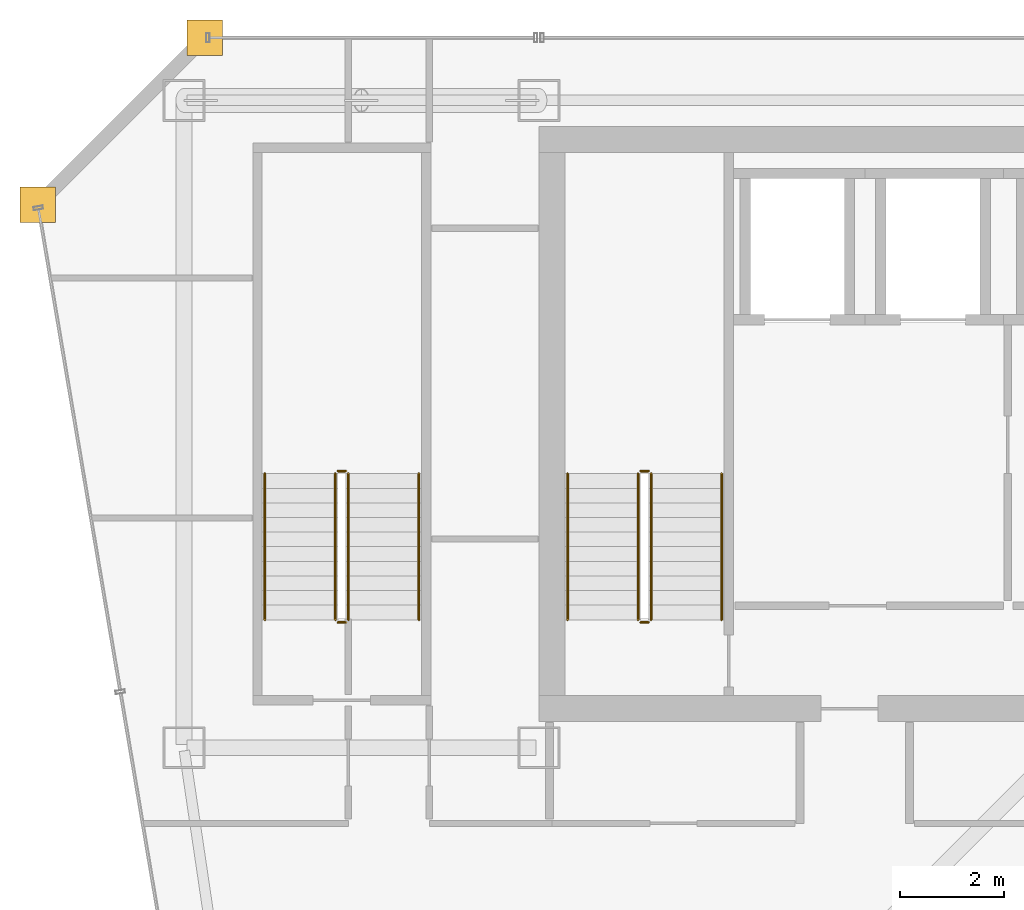
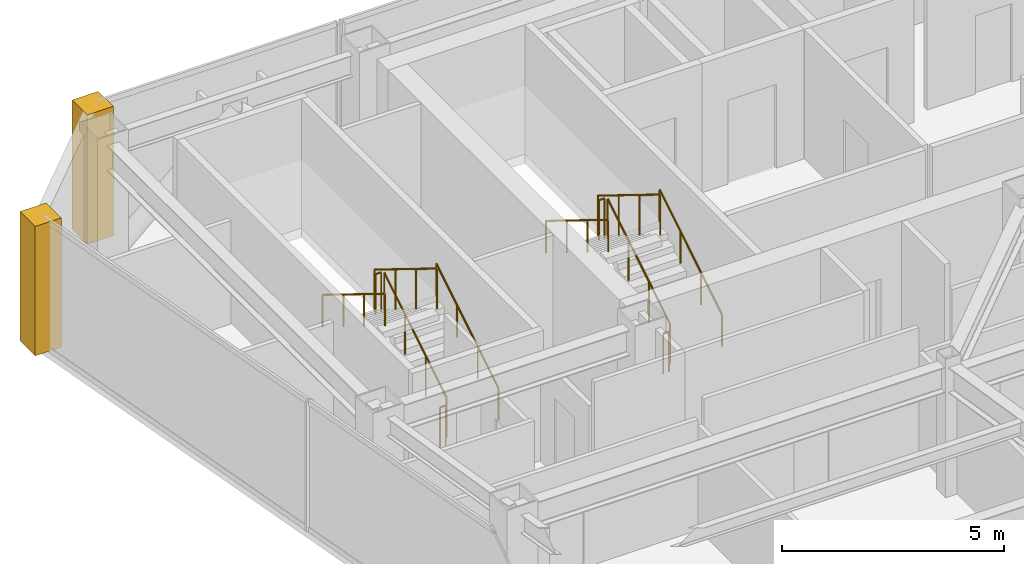
# One storey, part 35 of 36: 12 railings, 2 coverings.
"""IFC4 building model written with IfcOpenShell, lengths in metres."""

from ifc_helpers import new_model, si_unit, direction, frame, origin, origin_2d, place, context, subcontext, project, spatial, polyline, circle, outline, extrude, material, layer, layer_set, type_object, element, save


model = new_model("IFC4")

# Units and contexts
model_context = context("Model", 3, precision=1e-05, world=origin(), true_north=direction((0.0, 1.0)))
body_context = subcontext(model_context, "Body", "Model", "MODEL_VIEW")
ifc_project = project(units=[si_unit("LENGTHUNIT", "METRE"), si_unit("AREAUNIT", "SQUARE_METRE"), si_unit("VOLUMEUNIT", "CUBIC_METRE"), si_unit("PLANEANGLEUNIT", "RADIAN"), si_unit("MASSUNIT", "GRAM", prefix="KILO")], contexts=[model_context])

# Site, building, storey
site_placement = place(None, origin())
site = spatial("IfcSite", under=ifc_project, at=site_placement, CompositionType="ELEMENT")
building_placement = place(site_placement, origin())
building = spatial("IfcBuilding", under=site, at=building_placement, Name="Saevonmaru Cultural Tower", CompositionType="ELEMENT")
storey_placement = place(building_placement, frame((0.0, 0.0, 182.800048828125)))
storey = spatial("IfcBuildingStorey", under=building, at=storey_placement, Name="L41", CompositionType="ELEMENT", Elevation=182.800048828125)

# Coverings
ifc_material_1 = material(Name="Satin Bronze Anodised Aluminium", Category="aluminium")
ifc_layer = layer(ifc_material_1, 0.679931640625, Name="Satin Bronze Anodised Aluminium")
ifc_layer_set = layer_set([ifc_layer], Name="Satin Bronze Anodised Aluminium")
covering_type = type_object("IfcCoveringType", Name="CV-CORNER-CLAD", PredefinedType="CLADDING", material=ifc_layer_set)
covering_1_placement = place(storey_placement, origin())
element("IfcCovering", 1, at=covering_1_placement, inside=storey, type_object=covering_type, Name="L41 Tower Bronze Corner Cladding Pier 11", PredefinedType="CLADDING", context=body_context, shape_type="SweptSolid", body=[
    extrude(outline(polyline([(6.860107421875, 55.659912109375), (7.5400390625, 55.659912109375), (7.5400390625, 56.340087890625), (6.860107421875, 56.340087890625), (6.860107421875, 55.659912109375)])), origin(), (0.0, 0.0, 1.0), 3.550048828125),
])
covering_2_placement = place(storey_placement, origin())
element("IfcCovering", 2, at=covering_2_placement, inside=storey, type_object=covering_type, Name="L41 Tower Bronze Corner Cladding Pier 12", PredefinedType="CLADDING", context=body_context, shape_type="SweptSolid", body=[
    extrude(outline(polyline([(3.659912109375, 52.4599609375), (4.340087890625, 52.4599609375), (4.340087890625, 53.139892578125), (3.659912109375, 53.139892578125), (3.659912109375, 52.4599609375)])), origin(), (0.0, 0.0, 1.0), 3.550048828125),
])

# Railings
ifc_material_2 = material(Name="Architectural Painted Steel", Category="steel")
railing_type_1 = type_object("IfcRailingType", Name="RL-STAIR-GUARD", PredefinedType="GUARDRAIL", material=ifc_material_2)
railing_1_placement = place(storey_placement, frame((15.75, 44.85009765625, 0.172607421875)))
element("IfcRailing", 3, at=railing_1_placement, inside=storey, type_object=railing_type_1, Name="L41 ST-1 stair guard 1", PredefinedType="GUARDRAIL", context=body_context, shape_type="SweptSolid", body=[
    extrude(circle(Radius=0.02392578125, at=origin_2d()), frame((0.0, 0.0, 1.09619140625), z_axis=(0.0, 0.851069175582, 0.525053576669), x_axis=(-1.0, 0.0, 0.0)), (0.0, 0.0, 1.0), 3.289794921875),
    extrude(circle(Radius=0.02099609375, at=origin_2d()), origin(), (0.0, 0.0, 1.0), 1.072021484375),
    extrude(circle(Radius=0.02099609375, at=origin_2d()), frame((0.0, 0.933349609375, 0.57568359375)), (0.0, 0.0, 1.0), 1.072021484375),
    extrude(circle(Radius=0.02099609375, at=origin_2d()), frame((0.0, 1.866455078125, 1.151611328125)), (0.0, 0.0, 1.0), 1.072021484375),
    extrude(circle(Radius=0.02099609375, at=origin_2d()), frame((0.0, 2.7998046875, 1.727294921875)), (0.0, 0.0, 1.0), 1.072021484375),
])
railing_2_placement = place(storey_placement, frame((15.699951171875, 47.699951171875, 1.89990234375)))
element("IfcRailing", 4, at=railing_2_placement, inside=storey, type_object=railing_type_1, Name="L41 ST-1 stair guard 2", PredefinedType="GUARDRAIL", context=body_context, shape_type="SweptSolid", body=[
    extrude(circle(Radius=0.02392578125, at=origin_2d()), frame((0.0, 0.0, 1.09619140625), z_axis=(-1.0, 0.0, 0.0), x_axis=(0.0, -1.0, 0.0)), (0.0, 0.0, 1.0), 0.14990234375),
    extrude(circle(Radius=0.02099609375, at=origin_2d()), origin(), (0.0, 0.0, 1.0), 1.072021484375),
    extrude(circle(Radius=0.02099609375, at=origin_2d()), frame((-0.14990234375, 0.0, 0.0)), (0.0, 0.0, 1.0), 1.072021484375),
])
railing_3_placement = place(storey_placement, frame((15.5, 47.64990234375, 2.07275390625)))
element("IfcRailing", 5, at=railing_3_placement, inside=storey, type_object=railing_type_1, Name="L41 ST-1 stair guard 3", PredefinedType="GUARDRAIL", context=body_context, shape_type="SweptSolid", body=[
    extrude(circle(Radius=0.02392578125, at=origin_2d()), frame((0.0, 0.0, 1.09619140625), z_axis=(0.0, -0.851069175582, 0.525053576669), x_axis=(1.0, 0.0, 0.0)), (0.0, 0.0, 1.0), 3.289794921875),
    extrude(circle(Radius=0.02099609375, at=origin_2d()), origin(), (0.0, 0.0, 1.0), 1.072021484375),
    extrude(circle(Radius=0.02099609375, at=origin_2d()), frame((0.0, -0.933349609375, 0.57568359375)), (0.0, 0.0, 1.0), 1.072021484375),
    extrude(circle(Radius=0.02099609375, at=origin_2d()), frame((0.0, -1.866455078125, 1.151611328125)), (0.0, 0.0, 1.0), 1.072021484375),
    extrude(circle(Radius=0.02099609375, at=origin_2d()), frame((0.0, -2.7998046875, 1.727294921875)), (0.0, 0.0, 1.0), 1.072021484375),
])
railing_4_placement = place(storey_placement, frame((15.699951171875, 44.800048828125, 0.0)))
element("IfcRailing", 6, at=railing_4_placement, inside=storey, type_object=railing_type_1, Name="L41 ST-1 stair guard 4", PredefinedType="GUARDRAIL", context=body_context, shape_type="SweptSolid", body=[
    extrude(circle(Radius=0.02392578125, at=origin_2d()), frame((0.0, 0.0, 1.09619140625), z_axis=(-1.0, 0.0, 0.0), x_axis=(0.0, -1.0, 0.0)), (0.0, 0.0, 1.0), 0.14990234375),
    extrude(circle(Radius=0.02099609375, at=origin_2d()), origin(), (0.0, 0.0, 1.0), 1.072021484375),
    extrude(circle(Radius=0.02099609375, at=origin_2d()), frame((-0.14990234375, 0.0, 0.0)), (0.0, 0.0, 1.0), 1.072021484375),
])
railing_5_placement = place(storey_placement, frame((9.949951171875, 44.85009765625, 0.172607421875)))
element("IfcRailing", 7, at=railing_5_placement, inside=storey, type_object=railing_type_1, Name="L41 ST-3 stair guard 1", PredefinedType="GUARDRAIL", context=body_context, shape_type="SweptSolid", body=[
    extrude(circle(Radius=0.02392578125, at=origin_2d()), frame((0.0, 0.0, 1.09619140625), z_axis=(0.0, 0.851069175582, 0.525053576669), x_axis=(-1.0, 0.0, 0.0)), (0.0, 0.0, 1.0), 3.289794921875),
    extrude(circle(Radius=0.02099609375, at=origin_2d()), origin(), (0.0, 0.0, 1.0), 1.072021484375),
    extrude(circle(Radius=0.02099609375, at=origin_2d()), frame((0.0, 0.933349609375, 0.57568359375)), (0.0, 0.0, 1.0), 1.072021484375),
    extrude(circle(Radius=0.02099609375, at=origin_2d()), frame((0.0, 1.866455078125, 1.151611328125)), (0.0, 0.0, 1.0), 1.072021484375),
    extrude(circle(Radius=0.02099609375, at=origin_2d()), frame((0.0, 2.7998046875, 1.727294921875)), (0.0, 0.0, 1.0), 1.072021484375),
])
railing_6_placement = place(storey_placement, frame((9.89990234375, 47.699951171875, 1.89990234375)))
element("IfcRailing", 8, at=railing_6_placement, inside=storey, type_object=railing_type_1, Name="L41 ST-3 stair guard 2", PredefinedType="GUARDRAIL", context=body_context, shape_type="SweptSolid", body=[
    extrude(circle(Radius=0.02392578125, at=origin_2d()), frame((0.0, 0.0, 1.09619140625), z_axis=(-1.0, 0.0, 0.0), x_axis=(0.0, -1.0, 0.0)), (0.0, 0.0, 1.0), 0.14990234375),
    extrude(circle(Radius=0.02099609375, at=origin_2d()), origin(), (0.0, 0.0, 1.0), 1.072021484375),
    extrude(circle(Radius=0.02099609375, at=origin_2d()), frame((-0.14990234375, 0.0, 0.0)), (0.0, 0.0, 1.0), 1.072021484375),
])
railing_7_placement = place(storey_placement, frame((9.699951171875, 47.64990234375, 2.07275390625)))
element("IfcRailing", 9, at=railing_7_placement, inside=storey, type_object=railing_type_1, Name="L41 ST-3 stair guard 3", PredefinedType="GUARDRAIL", context=body_context, shape_type="SweptSolid", body=[
    extrude(circle(Radius=0.02392578125, at=origin_2d()), frame((0.0, 0.0, 1.09619140625), z_axis=(0.0, -0.851069175582, 0.525053576669), x_axis=(1.0, 0.0, 0.0)), (0.0, 0.0, 1.0), 3.289794921875),
    extrude(circle(Radius=0.02099609375, at=origin_2d()), origin(), (0.0, 0.0, 1.0), 1.072021484375),
    extrude(circle(Radius=0.02099609375, at=origin_2d()), frame((0.0, -0.933349609375, 0.57568359375)), (0.0, 0.0, 1.0), 1.072021484375),
    extrude(circle(Radius=0.02099609375, at=origin_2d()), frame((0.0, -1.866455078125, 1.151611328125)), (0.0, 0.0, 1.0), 1.072021484375),
    extrude(circle(Radius=0.02099609375, at=origin_2d()), frame((0.0, -2.7998046875, 1.727294921875)), (0.0, 0.0, 1.0), 1.072021484375),
])
railing_8_placement = place(storey_placement, frame((9.89990234375, 44.800048828125, 0.0)))
element("IfcRailing", 10, at=railing_8_placement, inside=storey, type_object=railing_type_1, Name="L41 ST-3 stair guard 4", PredefinedType="GUARDRAIL", context=body_context, shape_type="SweptSolid", body=[
    extrude(circle(Radius=0.02392578125, at=origin_2d()), frame((0.0, 0.0, 1.09619140625), z_axis=(-1.0, 0.0, 0.0), x_axis=(0.0, -1.0, 0.0)), (0.0, 0.0, 1.0), 0.14990234375),
    extrude(circle(Radius=0.02099609375, at=origin_2d()), origin(), (0.0, 0.0, 1.0), 1.072021484375),
    extrude(circle(Radius=0.02099609375, at=origin_2d()), frame((-0.14990234375, 0.0, 0.0)), (0.0, 0.0, 1.0), 1.072021484375),
])
railing_type_2 = type_object("IfcRailingType", Name="RL-STAIR-HANDRAIL", PredefinedType="HANDRAIL", material=ifc_material_1)
railing_9_placement = place(storey_placement, frame((17.10009765625, 44.85009765625, 0.172607421875)))
element("IfcRailing", 11, at=railing_9_placement, inside=storey, type_object=railing_type_2, Name="L41 ST-1 stair handrail 1", PredefinedType="HANDRAIL", context=body_context, shape_type="SweptSolid", body=[
    extrude(circle(Radius=0.02392578125, at=origin_2d()), frame((0.0, 0.0, 0.8759765625), z_axis=(0.0, 0.851069175582, 0.525053576669), x_axis=(-1.0, 0.0, 0.0)), (0.0, 0.0, 1.0), 3.289794921875),
    extrude(circle(Radius=0.02099609375, at=origin_2d()), origin(), (0.0, 0.0, 1.0), 0.851806640625),
    extrude(circle(Radius=0.02099609375, at=origin_2d()), frame((0.0, 0.933349609375, 0.57568359375)), (0.0, 0.0, 1.0), 0.851806640625),
    extrude(circle(Radius=0.02099609375, at=origin_2d()), frame((0.0, 1.866455078125, 1.151611328125)), (0.0, 0.0, 1.0), 0.851806640625),
    extrude(circle(Radius=0.02099609375, at=origin_2d()), frame((0.0, 2.7998046875, 1.727294921875)), (0.0, 0.0, 1.0), 0.851806640625),
])
railing_10_placement = place(storey_placement, frame((14.14990234375, 47.64990234375, 2.07275390625)))
element("IfcRailing", 12, at=railing_10_placement, inside=storey, type_object=railing_type_2, Name="L41 ST-1 stair handrail 2", PredefinedType="HANDRAIL", context=body_context, shape_type="SweptSolid", body=[
    extrude(circle(Radius=0.02392578125, at=origin_2d()), frame((0.0, 0.0, 0.8759765625), z_axis=(0.0, -0.851069175582, 0.525053576669), x_axis=(1.0, 0.0, 0.0)), (0.0, 0.0, 1.0), 3.289794921875),
    extrude(circle(Radius=0.02099609375, at=origin_2d()), origin(), (0.0, 0.0, 1.0), 0.851806640625),
    extrude(circle(Radius=0.02099609375, at=origin_2d()), frame((0.0, -0.933349609375, 0.57568359375)), (0.0, 0.0, 1.0), 0.851806640625),
    extrude(circle(Radius=0.02099609375, at=origin_2d()), frame((0.0, -1.866455078125, 1.151611328125)), (0.0, 0.0, 1.0), 0.851806640625),
    extrude(circle(Radius=0.02099609375, at=origin_2d()), frame((0.0, -2.7998046875, 1.727294921875)), (0.0, 0.0, 1.0), 0.851806640625),
])
railing_11_placement = place(storey_placement, frame((11.300048828125, 44.85009765625, 0.172607421875)))
element("IfcRailing", 13, at=railing_11_placement, inside=storey, type_object=railing_type_2, Name="L41 ST-3 stair handrail 1", PredefinedType="HANDRAIL", context=body_context, shape_type="SweptSolid", body=[
    extrude(circle(Radius=0.02392578125, at=origin_2d()), frame((0.0, 0.0, 0.8759765625), z_axis=(0.0, 0.851069175582, 0.525053576669), x_axis=(-1.0, 0.0, 0.0)), (0.0, 0.0, 1.0), 3.289794921875),
    extrude(circle(Radius=0.02099609375, at=origin_2d()), origin(), (0.0, 0.0, 1.0), 0.851806640625),
    extrude(circle(Radius=0.02099609375, at=origin_2d()), frame((0.0, 0.933349609375, 0.57568359375)), (0.0, 0.0, 1.0), 0.851806640625),
    extrude(circle(Radius=0.02099609375, at=origin_2d()), frame((0.0, 1.866455078125, 1.151611328125)), (0.0, 0.0, 1.0), 0.851806640625),
    extrude(circle(Radius=0.02099609375, at=origin_2d()), frame((0.0, 2.7998046875, 1.727294921875)), (0.0, 0.0, 1.0), 0.851806640625),
])
railing_12_placement = place(storey_placement, frame((8.35009765625, 47.64990234375, 2.07275390625)))
element("IfcRailing", 14, at=railing_12_placement, inside=storey, type_object=railing_type_2, Name="L41 ST-3 stair handrail 2", PredefinedType="HANDRAIL", context=body_context, shape_type="SweptSolid", body=[
    extrude(circle(Radius=0.02392578125, at=origin_2d()), frame((0.0, 0.0, 0.8759765625), z_axis=(0.0, -0.851069175582, 0.525053576669), x_axis=(1.0, 0.0, 0.0)), (0.0, 0.0, 1.0), 3.289794921875),
    extrude(circle(Radius=0.02099609375, at=origin_2d()), origin(), (0.0, 0.0, 1.0), 0.851806640625),
    extrude(circle(Radius=0.02099609375, at=origin_2d()), frame((0.0, -0.933349609375, 0.57568359375)), (0.0, 0.0, 1.0), 0.851806640625),
    extrude(circle(Radius=0.02099609375, at=origin_2d()), frame((0.0, -1.866455078125, 1.151611328125)), (0.0, 0.0, 1.0), 0.851806640625),
    extrude(circle(Radius=0.02099609375, at=origin_2d()), frame((0.0, -2.7998046875, 1.727294921875)), (0.0, 0.0, 1.0), 0.851806640625),
])

save(model, "model.ifc")
